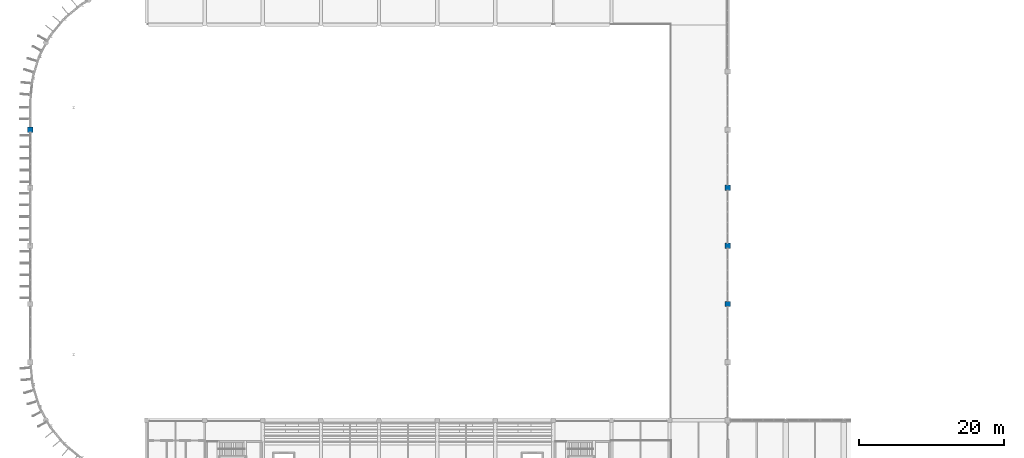
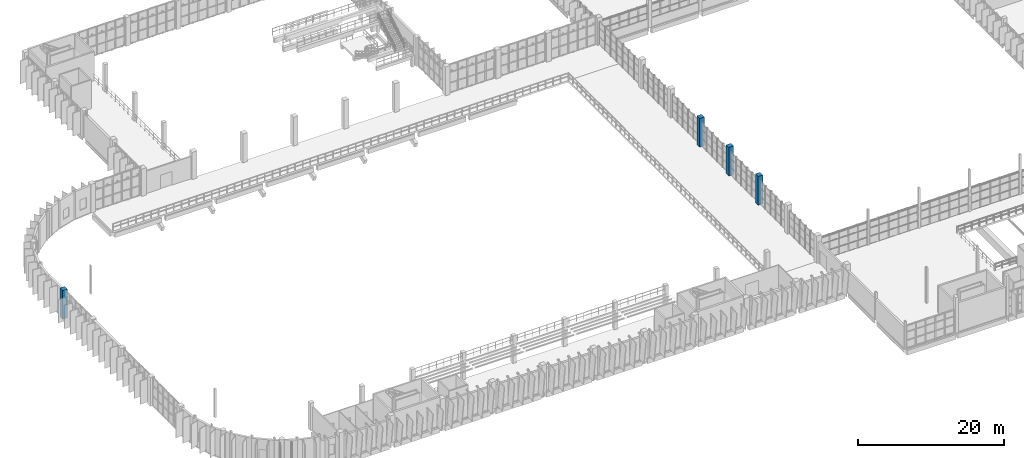
# One storey, part 6 of 93: 4 columns.
"""IFC4 building model written with IfcOpenShell, lengths in metres."""

from ifc_helpers import new_model, si_unit, direction, frame, origin, origin_2d, place, context, subcontext, project, spatial, rectangle, extrude, material, material_profile, profile_set, type_object, element, save


model = new_model("IFC4")

# Units and contexts
model_context = context("Model", 3, precision=1e-05, world=origin(), true_north=direction((0.0, 1.0)))
body_context = subcontext(model_context, "Body", "Model", "MODEL_VIEW")
ifc_project = project(units=[si_unit("LENGTHUNIT", "METRE"), si_unit("AREAUNIT", "SQUARE_METRE"), si_unit("VOLUMEUNIT", "CUBIC_METRE"), si_unit("PLANEANGLEUNIT", "RADIAN"), si_unit("MASSUNIT", "GRAM", prefix="KILO")], contexts=[model_context])

# Site, building, storey
site_placement = place(None, origin())
site = spatial("IfcSite", under=ifc_project, at=site_placement, CompositionType="ELEMENT")
building_placement = place(site_placement, origin())
building = spatial("IfcBuilding", under=site, at=building_placement, Name="Drelvana Railside Aquatics Centre", CompositionType="ELEMENT")
storey_placement = place(building_placement, frame((0.0, 0.0, 5.39990234375)))
storey = spatial("IfcBuildingStorey", under=building, at=storey_placement, Name="L01", CompositionType="ELEMENT", Elevation=5.39990234375)

# Columns
ifc_material = material(Name="Concrete C40/50", Category="concrete")
ifc_material_profile = material_profile(ifc_material, rectangle(XDim=0.75, YDim=0.75, at=origin_2d()), Name="RC 750x750")
ifc_profile_set = profile_set([ifc_material_profile], Name="Concrete C40/50")
column_type = type_object("IfcColumnType", Name="STR-COL-RC-750x750", PredefinedType="COLUMN", material=ifc_profile_set)
for number, where, z_axis, x_axis, name in (
    (1, (0.0, 64.0, 0.0), (0.0, 0.0, 1.0), (1.0, 0.0, 0.0), "Column C-07 (L01)"),
    (2, (96.0, 40.0, 0.0), (0.0, 0.0, 1.0), (1.0, 0.0, 0.0), "Column C-07 (L01)"),
    (3, (96.0, 48.0, 0.0), (0.0, 0.0, 1.0), (1.0, 0.0, 0.0), "Column C-07 (L01)"),
    (4, (96.0, 56.0, 0.0), (0.0, 0.0, 1.0), (1.0, 0.0, 0.0), "Column C-07 (L01)"),
):
    element("IfcColumn", number, at=place(storey_placement, frame(where, z_axis=z_axis, x_axis=x_axis)), inside=storey, type_object=column_type, Name=name, PredefinedType="COLUMN", context=body_context, shape_type="SweptSolid", body=[
        extrude(rectangle(XDim=0.75, YDim=0.75, at=origin_2d()), origin(), (0.0, 0.0, 1.0), 4.800048828125),
    ])

save(model, "model.ifc")
